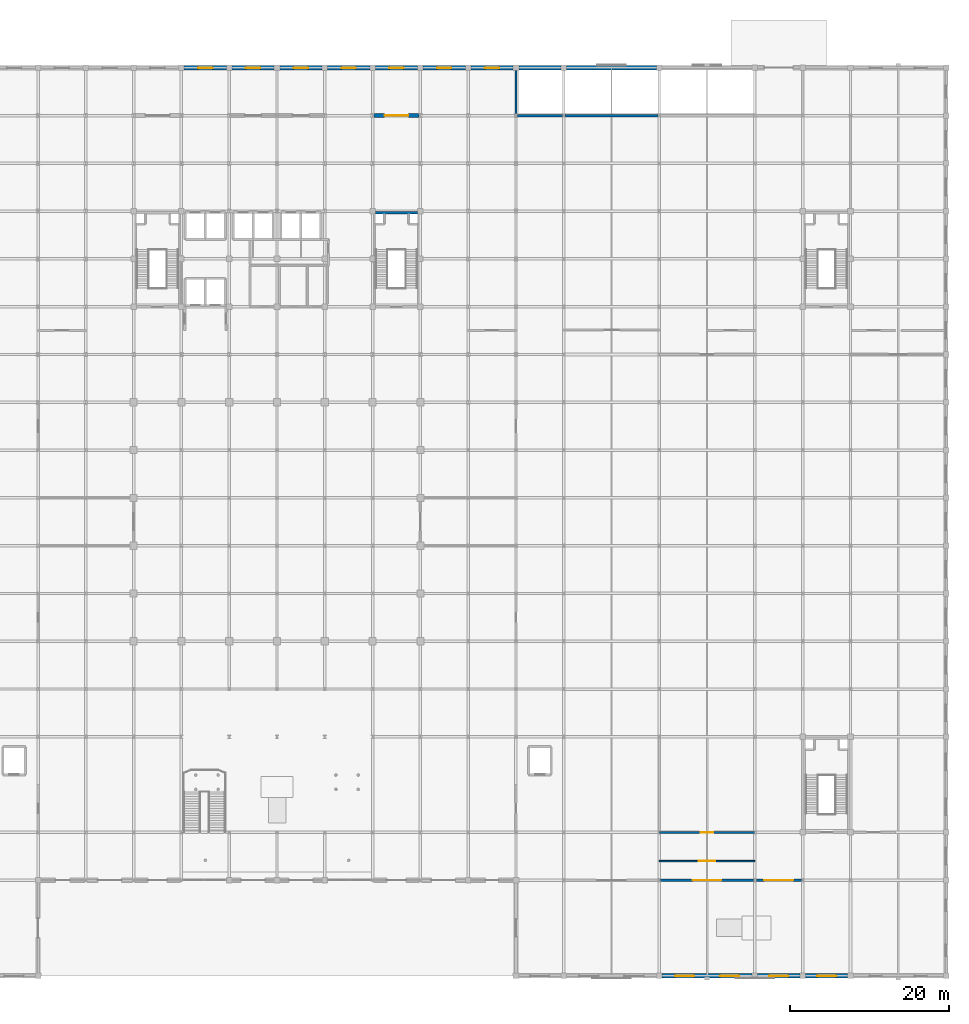
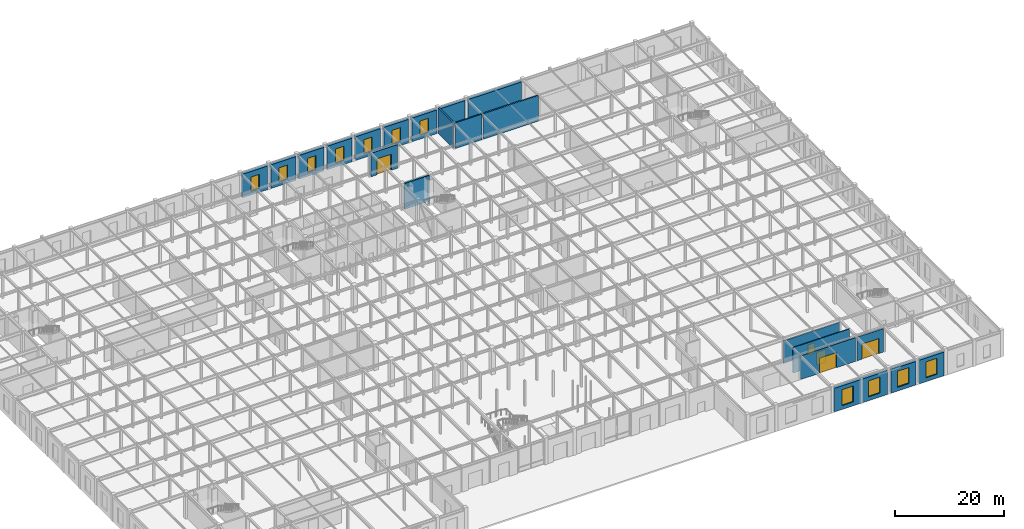
# One storey, part 46 of 51: 21 walls, 11 windows, 5 doors, 16 openings.
"""IFC4 building model written with IfcOpenShell, lengths in metres."""

from ifc_helpers import new_model, si_unit, direction, frame, frame_2d, origin, place, context, subcontext, project, spatial, rectangle, extrude, material, layer, layer_set, type_object, element, fill, save


model = new_model("IFC4")

# Units and contexts
model_context = context("Model", 3, precision=1e-05, world=origin(), true_north=direction((0.0, 1.0)))
body_context = subcontext(model_context, "Body", "Model", "MODEL_VIEW")
ifc_project = project(units=[si_unit("LENGTHUNIT", "METRE"), si_unit("AREAUNIT", "SQUARE_METRE"), si_unit("VOLUMEUNIT", "CUBIC_METRE"), si_unit("PLANEANGLEUNIT", "RADIAN"), si_unit("MASSUNIT", "GRAM", prefix="KILO")], contexts=[model_context])

# Site, building, storey
site_placement = place(None, origin())
site = spatial("IfcSite", under=ifc_project, at=site_placement, CompositionType="ELEMENT")
building_placement = place(site_placement, origin())
building = spatial("IfcBuilding", under=site, at=building_placement, Name="Zlatovratsky Civic Hall", CompositionType="ELEMENT")
storey_placement = place(building_placement, origin())
storey = spatial("IfcBuildingStorey", under=building, at=storey_placement, Name="L01", CompositionType="ELEMENT", Elevation=0.0)

# Wall, opening, door
ifc_material_1 = material(Name="Acoustic ceramic blockwork", Category="masonry")
ifc_layer_1 = layer(ifc_material_1, 0.179931640625)
ifc_layer_set_1 = layer_set([ifc_layer_1], Name="Acoustic ceramic blockwork")
wall_type_1 = type_object("IfcWallType", Name="Wall_AcousticChamberPartition_180", PredefinedType="PARTITIONING", material=ifc_layer_set_1)
wall_1_placement = place(storey_placement, frame((132.0, 14.39990234375, 0.0), z_axis=(0.0, 0.0, 1.0), x_axis=(1.0, 0.0, 0.0)))
wall_1 = element("IfcWall", 1, at=wall_1_placement, inside=storey, type_object=wall_type_1, Name="WL-6066", PredefinedType="PARTITIONING", context=body_context, shape_type="SweptSolid", body=[
    extrude(rectangle(XDim=12.0, YDim=0.179931640625, at=frame_2d((6.0, 0.0))), origin(), (0.0, 0.0, 1.0), 5.760009765625),
])
opening_1_placement = place(wall_1_placement, frame((4.949951171875, 0.0, 0.0)))
opening_1 = element("IfcOpeningElement", 2, at=opening_1_placement, cuts=wall_1, Name="Opening D-11", PredefinedType="OPENING", context=body_context, shape_type="SweptSolid", body=[
    extrude(rectangle(XDim=2.10009765625, YDim=2.89990234375, at=frame_2d((1.050048828125, 1.449951171875))), frame((0.0, 0.10498046875, 0.0), z_axis=(0.0, -1.0, 0.0), x_axis=(1.0, 0.0, 0.0)), (0.0, 0.0, 1.0), 0.209716796875),
])
ifc_material_2 = material(Name="Solid oak joinery in steel frame", Category="steel")
door_type_1 = type_object("IfcDoorType", Name="Door_ChamberFoyerDouble_2100x2900", OperationType="DOUBLE_DOOR_SINGLE_SWING", PredefinedType="DOOR", material=ifc_material_2)
door_1_placement = place(opening_1_placement, origin())
door_1 = element("IfcDoor", 3, at=door_1_placement, inside=storey, type_object=door_type_1, Name="DR-5227", OperationType="DOUBLE_DOOR_SINGLE_SWING", OverallHeight=2.89990234375, OverallWidth=2.10009765625, PredefinedType="DOOR", context=body_context, shape_type="SweptSolid", body=[
    extrude(rectangle(XDim=2.10009765625, YDim=2.89990234375, at=frame_2d((1.050048828125, 1.449951171875))), frame((0.0, 0.02490234375, 0.0), z_axis=(0.0, -1.0, 0.0), x_axis=(1.0, 0.0, 0.0)), (0.0, 0.0, 1.0), 0.050048828125),
])
fill(opening_1, door_1)

ifc_layer_2 = layer(ifc_material_1, 0.260009765625)
ifc_layer_set_2 = layer_set([ifc_layer_2], Name="Acoustic ceramic blockwork")
wall_type_2 = type_object("IfcWallType", Name="Wall_ArchiveCompartment_260", PredefinedType="PARTITIONING", material=ifc_layer_set_2)
wall_2_placement = place(storey_placement, frame((132.0, 18.0, 0.0), z_axis=(0.0, 0.0, 1.0), x_axis=(1.0, 0.0, 0.0)))
wall_2 = element("IfcWall", 4, at=wall_2_placement, inside=storey, type_object=wall_type_2, Name="WL-6075", PredefinedType="PARTITIONING", context=body_context, shape_type="SweptSolid", body=[
    extrude(rectangle(XDim=12.0, YDim=0.260009765625, at=frame_2d((6.0, 0.0))), origin(), (0.0, 0.0, 1.0), 5.076904296875),
])
opening_2_placement = place(wall_2_placement, frame((5.22509765625, 0.0, 0.0)))
opening_2 = element("IfcOpeningElement", 5, at=opening_2_placement, cuts=wall_2, Name="Opening D-15", PredefinedType="OPENING", context=body_context, shape_type="SweptSolid", body=[
    extrude(rectangle(XDim=1.550048828125, YDim=2.300048828125, at=frame_2d((0.77490234375, 1.14990234375))), frame((0.0, 0.14501953125, 0.0), z_axis=(0.0, -1.0, 0.0), x_axis=(1.0, 0.0, 0.0)), (0.0, 0.0, 1.0), 0.289794921875),
])
ifc_material_3 = material(Name="Insulated painted fire-rated steel leaf", Category="steel")
door_type_2 = type_object("IfcDoorType", Name="Door_CompactArchiveFire_1550x2300", OperationType="DOUBLE_DOOR_SINGLE_SWING", PredefinedType="DOOR", material=ifc_material_3)
door_2_placement = place(opening_2_placement, origin())
door_2 = element("IfcDoor", 6, at=door_2_placement, inside=storey, type_object=door_type_2, Name="DR-5236", OperationType="DOUBLE_DOOR_SINGLE_SWING", OverallHeight=2.300048828125, OverallWidth=1.550048828125, PredefinedType="DOOR", context=body_context, shape_type="SweptSolid", body=[
    extrude(rectangle(XDim=1.550048828125, YDim=2.300048828125, at=frame_2d((0.77490234375, 1.14990234375))), frame((0.0, 0.02490234375, 0.0), z_axis=(0.0, -1.0, 0.0), x_axis=(1.0, 0.0, 0.0)), (0.0, 0.0, 1.0), 0.050048828125),
])
fill(opening_2, door_2)

# Wall, openings, windows
ifc_layer_3 = layer(ifc_material_1, 0.39990234375, Name="Backing")
ifc_material_4 = material(Name="Polished Karelian granite ashlar", Category="masonry")
ifc_layer_4 = layer(ifc_material_4, 0.139892578125, Name="Finish")
ifc_layer_set_3 = layer_set([ifc_layer_3, ifc_layer_4], Name="Acoustic ceramic blockwork")
wall_type_3 = type_object("IfcWallType", Name="Wall_PodiumGraniteArcade_540", PredefinedType="SOLIDWALL", material=ifc_layer_set_3)
wall_3_placement = place(storey_placement, frame((132.35009765625, 0.0, 0.0), z_axis=(0.0, 0.0, 1.0), x_axis=(1.0, 0.0, 0.0)))
wall_3 = element("IfcWall", 7, at=wall_3_placement, inside=storey, type_object=wall_type_3, Name="WL-0090", PredefinedType="SOLIDWALL", context=body_context, shape_type="SweptSolid", body=[
    extrude(rectangle(XDim=11.2998046875, YDim=0.5400390625, at=frame_2d((5.64990234375, 0.0))), origin(), (0.0, 0.0, 1.0), 5.31005859375),
])
opening_3_placement = place(wall_3_placement, frame((1.625, 0.0, 0.85009765625)))
opening_3 = element("IfcOpeningElement", 8, at=opening_3_placement, cuts=wall_3, Name="Opening WN-01", PredefinedType="OPENING", context=body_context, shape_type="SweptSolid", body=[
    extrude(rectangle(XDim=2.39990234375, YDim=3.60009765625, at=frame_2d((1.199951171875, 1.800048828125))), frame((0.0, 0.284912109375, 0.0), z_axis=(0.0, -1.0, 0.0), x_axis=(1.0, 0.0, 0.0)), (0.0, 0.0, 1.0), 0.56982421875),
])
opening_4_placement = place(wall_3_placement, frame((7.27490234375, 0.0, 0.85009765625)))
opening_4 = element("IfcOpeningElement", 9, at=opening_4_placement, cuts=wall_3, Name="Opening WN-01", PredefinedType="OPENING", context=body_context, shape_type="SweptSolid", body=[
    extrude(rectangle(XDim=2.39990234375, YDim=3.60009765625, at=frame_2d((1.199951171875, 1.800048828125))), frame((0.0, 0.284912109375, 0.0), z_axis=(0.0, -1.0, 0.0), x_axis=(1.0, 0.0, 0.0)), (0.0, 0.0, 1.0), 0.56982421875),
])
ifc_material_5 = material(Name="Low-E laminated double glazing", Category="glass")
window_type_1 = type_object("IfcWindowType", Name="Window_GroundArcadeTall_2400x3600", PartitioningType="SINGLE_PANEL", PredefinedType="WINDOW", material=ifc_material_5)
window_1_placement = place(opening_3_placement, origin())
window_1 = element("IfcWindow", 10, at=window_1_placement, inside=storey, type_object=window_type_1, Name="WN-0013", OverallHeight=3.60009765625, OverallWidth=2.39990234375, PartitioningType="SINGLE_PANEL", PredefinedType="WINDOW", context=body_context, shape_type="SweptSolid", body=[
    extrude(rectangle(XDim=2.39990234375, YDim=3.60009765625, at=frame_2d((1.199951171875, 1.800048828125))), frame((0.0, 0.030029296875, 0.0), z_axis=(0.0, -1.0, 0.0), x_axis=(1.0, 0.0, 0.0)), (0.0, 0.0, 1.0), 0.06005859375),
])
fill(opening_3, window_1)
window_2_placement = place(opening_4_placement, origin())
window_2 = element("IfcWindow", 11, at=window_2_placement, inside=storey, type_object=window_type_1, Name="WN-0014", OverallHeight=3.60009765625, OverallWidth=2.39990234375, PartitioningType="SINGLE_PANEL", PredefinedType="WINDOW", context=body_context, shape_type="SweptSolid", body=[
    extrude(rectangle(XDim=2.39990234375, YDim=3.60009765625, at=frame_2d((1.199951171875, 1.800048828125))), frame((0.0, 0.030029296875, 0.0), z_axis=(0.0, -1.0, 0.0), x_axis=(1.0, 0.0, 0.0)), (0.0, 0.0, 1.0), 0.06005859375),
])
fill(opening_4, window_2)

# Wall, opening, window
wall_4_placement = place(storey_placement, frame((144.35009765625, 0.0, 0.0), z_axis=(0.0, 0.0, 1.0), x_axis=(1.0, 0.0, 0.0)))
wall_4 = element("IfcWall", 12, at=wall_4_placement, inside=storey, type_object=wall_type_3, Name="WL-0091", PredefinedType="SOLIDWALL", context=body_context, shape_type="SweptSolid", body=[
    extrude(rectangle(XDim=5.2998046875, YDim=0.5400390625, at=frame_2d((2.64990234375, 0.0))), origin(), (0.0, 0.0, 1.0), 5.31005859375),
])
opening_5_placement = place(wall_4_placement, frame((1.449951171875, 0.0, 0.85009765625)))
opening_5 = element("IfcOpeningElement", 13, at=opening_5_placement, cuts=wall_4, Name="Opening WN-01", PredefinedType="OPENING", context=body_context, shape_type="SweptSolid", body=[
    extrude(rectangle(XDim=2.39990234375, YDim=3.60009765625, at=frame_2d((1.199951171875, 1.800048828125))), frame((0.0, 0.284912109375, 0.0), z_axis=(0.0, -1.0, 0.0), x_axis=(1.0, 0.0, 0.0)), (0.0, 0.0, 1.0), 0.56982421875),
])
window_3_placement = place(opening_5_placement, origin())
window_3 = element("IfcWindow", 14, at=window_3_placement, inside=storey, type_object=window_type_1, Name="WN-0015", OverallHeight=3.60009765625, OverallWidth=2.39990234375, PartitioningType="SINGLE_PANEL", PredefinedType="WINDOW", context=body_context, shape_type="SweptSolid", body=[
    extrude(rectangle(XDim=2.39990234375, YDim=3.60009765625, at=frame_2d((1.199951171875, 1.800048828125))), frame((0.0, 0.030029296875, 0.0), z_axis=(0.0, -1.0, 0.0), x_axis=(1.0, 0.0, 0.0)), (0.0, 0.0, 1.0), 0.06005859375),
])
fill(opening_5, window_3)

wall_5_placement = place(storey_placement, frame((150.35009765625, 0.0, 0.0), z_axis=(0.0, 0.0, 1.0), x_axis=(1.0, 0.0, 0.0)))
wall_5 = element("IfcWall", 15, at=wall_5_placement, inside=storey, type_object=wall_type_3, Name="WL-0092", PredefinedType="SOLIDWALL", context=body_context, shape_type="SweptSolid", body=[
    extrude(rectangle(XDim=5.2998046875, YDim=0.5400390625, at=frame_2d((2.64990234375, 0.0))), origin(), (0.0, 0.0, 1.0), 5.31005859375),
])
opening_6_placement = place(wall_5_placement, frame((1.449951171875, 0.0, 0.85009765625)))
opening_6 = element("IfcOpeningElement", 16, at=opening_6_placement, cuts=wall_5, Name="Opening WN-01", PredefinedType="OPENING", context=body_context, shape_type="SweptSolid", body=[
    extrude(rectangle(XDim=2.39990234375, YDim=3.60009765625, at=frame_2d((1.199951171875, 1.800048828125))), frame((0.0, 0.284912109375, 0.0), z_axis=(0.0, -1.0, 0.0), x_axis=(1.0, 0.0, 0.0)), (0.0, 0.0, 1.0), 0.56982421875),
])
window_4_placement = place(opening_6_placement, origin())
window_4 = element("IfcWindow", 17, at=window_4_placement, inside=storey, type_object=window_type_1, Name="WN-0016", OverallHeight=3.60009765625, OverallWidth=2.39990234375, PartitioningType="SINGLE_PANEL", PredefinedType="WINDOW", context=body_context, shape_type="SweptSolid", body=[
    extrude(rectangle(XDim=2.39990234375, YDim=3.60009765625, at=frame_2d((1.199951171875, 1.800048828125))), frame((0.0, 0.030029296875, 0.0), z_axis=(0.0, -1.0, 0.0), x_axis=(1.0, 0.0, 0.0)), (0.0, 0.0, 1.0), 0.06005859375),
])
fill(opening_6, window_4)

wall_6_placement = place(storey_placement, frame((72.35009765625, 114.0, 0.0), z_axis=(0.0, 0.0, 1.0), x_axis=(1.0, 0.0, 0.0)))
wall_6 = element("IfcWall", 18, at=wall_6_placement, inside=storey, type_object=wall_type_3, Name="WL-0113", PredefinedType="SOLIDWALL", context=body_context, shape_type="SweptSolid", body=[
    extrude(rectangle(XDim=5.2998046875, YDim=0.5400390625, at=frame_2d((2.64990234375, 0.0))), origin(), (0.0, 0.0, 1.0), 5.31005859375),
])
opening_7_placement = place(wall_6_placement, frame((1.75, 0.0, 0.85009765625)))
opening_7 = element("IfcOpeningElement", 19, at=opening_7_placement, cuts=wall_6, Name="Opening WN-03", PredefinedType="OPENING", context=body_context, shape_type="SweptSolid", body=[
    extrude(rectangle(XDim=1.800048828125, YDim=3.199951171875, at=frame_2d((0.89990234375, 1.60009765625))), frame((0.0, 0.284912109375, 0.0), z_axis=(0.0, -1.0, 0.0), x_axis=(1.0, 0.0, 0.0)), (0.0, 0.0, 1.0), 0.56982421875),
])
window_type_2 = type_object("IfcWindowType", Name="Window_GroundNorthArcade_1800x3200", PartitioningType="SINGLE_PANEL", PredefinedType="WINDOW", material=ifc_material_5)
window_5_placement = place(opening_7_placement, origin())
window_5 = element("IfcWindow", 20, at=window_5_placement, inside=storey, type_object=window_type_2, Name="WN-0030", OverallHeight=3.199951171875, OverallWidth=1.800048828125, PartitioningType="SINGLE_PANEL", PredefinedType="WINDOW", context=body_context, shape_type="SweptSolid", body=[
    extrude(rectangle(XDim=1.800048828125, YDim=3.199951171875, at=frame_2d((0.89990234375, 1.60009765625))), frame((0.0, 0.030029296875, 0.0), z_axis=(0.0, -1.0, 0.0), x_axis=(1.0, 0.0, 0.0)), (0.0, 0.0, 1.0), 0.06005859375),
])
fill(opening_7, window_5)

wall_7_placement = place(storey_placement, frame((78.35009765625, 114.0, 0.0), z_axis=(0.0, 0.0, 1.0), x_axis=(1.0, 0.0, 0.0)))
wall_7 = element("IfcWall", 21, at=wall_7_placement, inside=storey, type_object=wall_type_3, Name="WL-0114", PredefinedType="SOLIDWALL", context=body_context, shape_type="SweptSolid", body=[
    extrude(rectangle(XDim=5.2998046875, YDim=0.5400390625, at=frame_2d((2.64990234375, 0.0))), origin(), (0.0, 0.0, 1.0), 5.31005859375),
])
opening_8_placement = place(wall_7_placement, frame((1.75, 0.0, 0.85009765625)))
opening_8 = element("IfcOpeningElement", 22, at=opening_8_placement, cuts=wall_7, Name="Opening WN-03", PredefinedType="OPENING", context=body_context, shape_type="SweptSolid", body=[
    extrude(rectangle(XDim=1.800048828125, YDim=3.199951171875, at=frame_2d((0.89990234375, 1.60009765625))), frame((0.0, 0.284912109375, 0.0), z_axis=(0.0, -1.0, 0.0), x_axis=(1.0, 0.0, 0.0)), (0.0, 0.0, 1.0), 0.56982421875),
])
window_6_placement = place(opening_8_placement, origin())
window_6 = element("IfcWindow", 23, at=window_6_placement, inside=storey, type_object=window_type_2, Name="WN-0031", OverallHeight=3.199951171875, OverallWidth=1.800048828125, PartitioningType="SINGLE_PANEL", PredefinedType="WINDOW", context=body_context, shape_type="SweptSolid", body=[
    extrude(rectangle(XDim=1.800048828125, YDim=3.199951171875, at=frame_2d((0.89990234375, 1.60009765625))), frame((0.0, 0.030029296875, 0.0), z_axis=(0.0, -1.0, 0.0), x_axis=(1.0, 0.0, 0.0)), (0.0, 0.0, 1.0), 0.06005859375),
])
fill(opening_8, window_6)

wall_8_placement = place(storey_placement, frame((84.35009765625, 114.0, 0.0), z_axis=(0.0, 0.0, 1.0), x_axis=(1.0, 0.0, 0.0)))
wall_8 = element("IfcWall", 24, at=wall_8_placement, inside=storey, type_object=wall_type_3, Name="WL-0115", PredefinedType="SOLIDWALL", context=body_context, shape_type="SweptSolid", body=[
    extrude(rectangle(XDim=5.2998046875, YDim=0.5400390625, at=frame_2d((2.64990234375, 0.0))), origin(), (0.0, 0.0, 1.0), 5.31005859375),
])
opening_9_placement = place(wall_8_placement, frame((1.75, 0.0, 0.85009765625)))
opening_9 = element("IfcOpeningElement", 25, at=opening_9_placement, cuts=wall_8, Name="Opening WN-03", PredefinedType="OPENING", context=body_context, shape_type="SweptSolid", body=[
    extrude(rectangle(XDim=1.800048828125, YDim=3.199951171875, at=frame_2d((0.89990234375, 1.60009765625))), frame((0.0, 0.284912109375, 0.0), z_axis=(0.0, -1.0, 0.0), x_axis=(1.0, 0.0, 0.0)), (0.0, 0.0, 1.0), 0.56982421875),
])
window_7_placement = place(opening_9_placement, origin())
window_7 = element("IfcWindow", 26, at=window_7_placement, inside=storey, type_object=window_type_2, Name="WN-0032", OverallHeight=3.199951171875, OverallWidth=1.800048828125, PartitioningType="SINGLE_PANEL", PredefinedType="WINDOW", context=body_context, shape_type="SweptSolid", body=[
    extrude(rectangle(XDim=1.800048828125, YDim=3.199951171875, at=frame_2d((0.89990234375, 1.60009765625))), frame((0.0, 0.030029296875, 0.0), z_axis=(0.0, -1.0, 0.0), x_axis=(1.0, 0.0, 0.0)), (0.0, 0.0, 1.0), 0.06005859375),
])
fill(opening_9, window_7)

wall_9_placement = place(storey_placement, frame((90.35009765625, 114.0, 0.0), z_axis=(0.0, 0.0, 1.0), x_axis=(1.0, 0.0, 0.0)))
wall_9 = element("IfcWall", 27, at=wall_9_placement, inside=storey, type_object=wall_type_3, Name="WL-0116", PredefinedType="SOLIDWALL", context=body_context, shape_type="SweptSolid", body=[
    extrude(rectangle(XDim=5.2998046875, YDim=0.5400390625, at=frame_2d((2.64990234375, 0.0))), origin(), (0.0, 0.0, 1.0), 5.31005859375),
])
opening_10_placement = place(wall_9_placement, frame((1.75, 0.0, 0.85009765625)))
opening_10 = element("IfcOpeningElement", 28, at=opening_10_placement, cuts=wall_9, Name="Opening WN-03", PredefinedType="OPENING", context=body_context, shape_type="SweptSolid", body=[
    extrude(rectangle(XDim=1.800048828125, YDim=3.199951171875, at=frame_2d((0.89990234375, 1.60009765625))), frame((0.0, 0.284912109375, 0.0), z_axis=(0.0, -1.0, 0.0), x_axis=(1.0, 0.0, 0.0)), (0.0, 0.0, 1.0), 0.56982421875),
])
window_8_placement = place(opening_10_placement, origin())
window_8 = element("IfcWindow", 29, at=window_8_placement, inside=storey, type_object=window_type_2, Name="WN-0033", OverallHeight=3.199951171875, OverallWidth=1.800048828125, PartitioningType="SINGLE_PANEL", PredefinedType="WINDOW", context=body_context, shape_type="SweptSolid", body=[
    extrude(rectangle(XDim=1.800048828125, YDim=3.199951171875, at=frame_2d((0.89990234375, 1.60009765625))), frame((0.0, 0.030029296875, 0.0), z_axis=(0.0, -1.0, 0.0), x_axis=(1.0, 0.0, 0.0)), (0.0, 0.0, 1.0), 0.06005859375),
])
fill(opening_10, window_8)

wall_10_placement = place(storey_placement, frame((96.35009765625, 114.0, 0.0), z_axis=(0.0, 0.0, 1.0), x_axis=(1.0, 0.0, 0.0)))
wall_10 = element("IfcWall", 30, at=wall_10_placement, inside=storey, type_object=wall_type_3, Name="WL-0117", PredefinedType="SOLIDWALL", context=body_context, shape_type="SweptSolid", body=[
    extrude(rectangle(XDim=5.2998046875, YDim=0.5400390625, at=frame_2d((2.64990234375, 0.0))), origin(), (0.0, 0.0, 1.0), 5.31005859375),
])
opening_11_placement = place(wall_10_placement, frame((1.75, 0.0, 0.85009765625)))
opening_11 = element("IfcOpeningElement", 31, at=opening_11_placement, cuts=wall_10, Name="Opening WN-03", PredefinedType="OPENING", context=body_context, shape_type="SweptSolid", body=[
    extrude(rectangle(XDim=1.800048828125, YDim=3.199951171875, at=frame_2d((0.89990234375, 1.60009765625))), frame((0.0, 0.284912109375, 0.0), z_axis=(0.0, -1.0, 0.0), x_axis=(1.0, 0.0, 0.0)), (0.0, 0.0, 1.0), 0.56982421875),
])
window_9_placement = place(opening_11_placement, origin())
window_9 = element("IfcWindow", 32, at=window_9_placement, inside=storey, type_object=window_type_2, Name="WN-0034", OverallHeight=3.199951171875, OverallWidth=1.800048828125, PartitioningType="SINGLE_PANEL", PredefinedType="WINDOW", context=body_context, shape_type="SweptSolid", body=[
    extrude(rectangle(XDim=1.800048828125, YDim=3.199951171875, at=frame_2d((0.89990234375, 1.60009765625))), frame((0.0, 0.030029296875, 0.0), z_axis=(0.0, -1.0, 0.0), x_axis=(1.0, 0.0, 0.0)), (0.0, 0.0, 1.0), 0.06005859375),
])
fill(opening_11, window_9)

wall_11_placement = place(storey_placement, frame((102.35009765625, 114.0, 0.0), z_axis=(0.0, 0.0, 1.0), x_axis=(1.0, 0.0, 0.0)))
wall_11 = element("IfcWall", 33, at=wall_11_placement, inside=storey, type_object=wall_type_3, Name="WL-0118", PredefinedType="SOLIDWALL", context=body_context, shape_type="SweptSolid", body=[
    extrude(rectangle(XDim=5.2998046875, YDim=0.5400390625, at=frame_2d((2.64990234375, 0.0))), origin(), (0.0, 0.0, 1.0), 5.31005859375),
])
opening_12_placement = place(wall_11_placement, frame((1.75, 0.0, 0.85009765625)))
opening_12 = element("IfcOpeningElement", 34, at=opening_12_placement, cuts=wall_11, Name="Opening WN-03", PredefinedType="OPENING", context=body_context, shape_type="SweptSolid", body=[
    extrude(rectangle(XDim=1.800048828125, YDim=3.199951171875, at=frame_2d((0.89990234375, 1.60009765625))), frame((0.0, 0.284912109375, 0.0), z_axis=(0.0, -1.0, 0.0), x_axis=(1.0, 0.0, 0.0)), (0.0, 0.0, 1.0), 0.56982421875),
])
window_10_placement = place(opening_12_placement, origin())
window_10 = element("IfcWindow", 35, at=window_10_placement, inside=storey, type_object=window_type_2, Name="WN-0035", OverallHeight=3.199951171875, OverallWidth=1.800048828125, PartitioningType="SINGLE_PANEL", PredefinedType="WINDOW", context=body_context, shape_type="SweptSolid", body=[
    extrude(rectangle(XDim=1.800048828125, YDim=3.199951171875, at=frame_2d((0.89990234375, 1.60009765625))), frame((0.0, 0.030029296875, 0.0), z_axis=(0.0, -1.0, 0.0), x_axis=(1.0, 0.0, 0.0)), (0.0, 0.0, 1.0), 0.06005859375),
])
fill(opening_12, window_10)

wall_12_placement = place(storey_placement, frame((108.35009765625, 114.0, 0.0), z_axis=(0.0, 0.0, 1.0), x_axis=(1.0, 0.0, 0.0)))
wall_12 = element("IfcWall", 36, at=wall_12_placement, inside=storey, type_object=wall_type_3, Name="WL-0119", PredefinedType="SOLIDWALL", context=body_context, shape_type="SweptSolid", body=[
    extrude(rectangle(XDim=5.2998046875, YDim=0.5400390625, at=frame_2d((2.64990234375, 0.0))), origin(), (0.0, 0.0, 1.0), 5.31005859375),
])
opening_13_placement = place(wall_12_placement, frame((1.75, 0.0, 0.85009765625)))
opening_13 = element("IfcOpeningElement", 37, at=opening_13_placement, cuts=wall_12, Name="Opening WN-03", PredefinedType="OPENING", context=body_context, shape_type="SweptSolid", body=[
    extrude(rectangle(XDim=1.800048828125, YDim=3.199951171875, at=frame_2d((0.89990234375, 1.60009765625))), frame((0.0, 0.284912109375, 0.0), z_axis=(0.0, -1.0, 0.0), x_axis=(1.0, 0.0, 0.0)), (0.0, 0.0, 1.0), 0.56982421875),
])
window_11_placement = place(opening_13_placement, origin())
window_11 = element("IfcWindow", 38, at=window_11_placement, inside=storey, type_object=window_type_2, Name="WN-0036", OverallHeight=3.199951171875, OverallWidth=1.800048828125, PartitioningType="SINGLE_PANEL", PredefinedType="WINDOW", context=body_context, shape_type="SweptSolid", body=[
    extrude(rectangle(XDim=1.800048828125, YDim=3.199951171875, at=frame_2d((0.89990234375, 1.60009765625))), frame((0.0, 0.030029296875, 0.0), z_axis=(0.0, -1.0, 0.0), x_axis=(1.0, 0.0, 0.0)), (0.0, 0.0, 1.0), 0.06005859375),
])
fill(opening_13, window_11)

# Walls
wall_13_placement = place(storey_placement, frame((114.35009765625, 114.0, 0.0), z_axis=(0.0, 0.0, 1.0), x_axis=(1.0, 0.0, 0.0)))
element("IfcWall", 39, at=wall_13_placement, inside=storey, type_object=wall_type_3, Name="WL-0120", PredefinedType="SOLIDWALL", context=body_context, shape_type="SweptSolid", body=[
    extrude(rectangle(XDim=5.2998046875, YDim=0.5400390625, at=frame_2d((2.64990234375, 0.0))), origin(), (0.0, 0.0, 1.0), 5.31005859375),
])
wall_14_placement = place(storey_placement, frame((120.35009765625, 114.0, 0.0), z_axis=(0.0, 0.0, 1.0), x_axis=(1.0, 0.0, 0.0)))
element("IfcWall", 40, at=wall_14_placement, inside=storey, type_object=wall_type_3, Name="WL-0121", PredefinedType="SOLIDWALL", context=body_context, shape_type="SweptSolid", body=[
    extrude(rectangle(XDim=11.2998046875, YDim=0.5400390625, at=frame_2d((5.64990234375, 0.0))), origin(), (0.0, 0.0, 1.0), 5.31005859375),
])

# Wall, opening, door
wall_15_placement = place(storey_placement, frame((96.20458984375, 108.0, 0.0), z_axis=(0.0, 0.0, 1.0), x_axis=(1.0, 0.0, 0.0)))
wall_15 = element("IfcWall", 41, at=wall_15_placement, inside=storey, type_object=wall_type_3, Name="WL-0129", PredefinedType="SOLIDWALL", context=body_context, shape_type="SweptSolid", body=[
    extrude(rectangle(XDim=5.5908203125, YDim=0.5400390625, at=frame_2d((2.79541015625, 0.0))), origin(), (0.0, 0.0, 1.0), 5.31005859375),
])
opening_14_placement = place(wall_15_placement, frame((1.2958984375, 0.0, 0.0)))
opening_14 = element("IfcOpeningElement", 42, at=opening_14_placement, cuts=wall_15, Name="Opening D-01", PredefinedType="OPENING", context=body_context, shape_type="SweptSolid", body=[
    extrude(rectangle(XDim=3.0, YDim=3.60009765625, at=frame_2d((1.5, 1.800048828125))), frame((0.0, 0.284912109375, 0.0), z_axis=(0.0, -1.0, 0.0), x_axis=(1.0, 0.0, 0.0)), (0.0, 0.0, 1.0), 0.56982421875),
])
ifc_material_6 = material(Name="Monumental cast bronze glazed portal", Category="aluminium")
door_type_3 = type_object("IfcDoorType", Name="Door_MainPortalBronze_3000x3600", OperationType="DOUBLE_DOOR_SINGLE_SWING", PredefinedType="DOOR", material=ifc_material_6)
door_3_placement = place(opening_14_placement, origin())
door_3 = element("IfcDoor", 43, at=door_3_placement, inside=storey, type_object=door_type_3, Name="DR-0018", OperationType="DOUBLE_DOOR_SINGLE_SWING", OverallHeight=3.60009765625, OverallWidth=3.0, PredefinedType="DOOR", context=body_context, shape_type="SweptSolid", body=[
    extrude(rectangle(XDim=3.0, YDim=3.60009765625, at=frame_2d((1.5, 1.800048828125))), frame((0.0, 0.02490234375, 0.0), z_axis=(0.0, -1.0, 0.0), x_axis=(1.0, 0.0, 0.0)), (0.0, 0.0, 1.0), 0.050048828125),
])
fill(opening_14, door_3)

ifc_material_7 = material(Name="Concrete C35/45 (B40)", Category="concrete")
ifc_layer_5 = layer(ifc_material_7, 0.300048828125)
ifc_layer_set_4 = layer_set([ifc_layer_5], Name="Concrete C35/45 (B40)")
wall_type_4 = type_object("IfcWallType", Name="Wall_StairAndLiftShaft_300", PredefinedType="SHEAR", material=ifc_layer_set_4)
wall_16_placement = place(storey_placement, frame((132.175048828125, 12.0, 0.0), z_axis=(0.0, 0.0, 1.0), x_axis=(1.0, 0.0, 0.0)))
wall_16 = element("IfcWall", 44, at=wall_16_placement, inside=storey, type_object=wall_type_4, Name="WL-0131", PredefinedType="SHEAR", context=body_context, shape_type="SweptSolid", body=[
    extrude(rectangle(XDim=11.64990234375, YDim=0.300048828125, at=frame_2d((5.824951171875, 0.0))), origin(), (0.0, 0.0, 1.0), 5.31005859375),
])
opening_15_placement = place(wall_16_placement, frame((4.02490234375, 0.0, 0.0)))
opening_15 = element("IfcOpeningElement", 45, at=opening_15_placement, cuts=wall_16, Name="Opening G-01", PredefinedType="OPENING", context=body_context, shape_type="SweptSolid", body=[
    extrude(rectangle(XDim=3.60009765625, YDim=3.39990234375, at=frame_2d((1.800048828125, 1.699951171875))), frame((0.0, 0.1650390625, 0.0), z_axis=(0.0, -1.0, 0.0), x_axis=(1.0, 0.0, 0.0)), (0.0, 0.0, 1.0), 0.329833984375),
])
ifc_material_8 = material(Name="Galvanised insulated roller shutter")
door_type_4 = type_object("IfcDoorType", Name="Gate_LoadingVehicleShutter_3600x3400", OperationType="ROLLINGUP", PredefinedType="GATE", material=ifc_material_8)
door_4_placement = place(opening_15_placement, origin())
door_4 = element("IfcDoor", 46, at=door_4_placement, inside=storey, type_object=door_type_4, Name="DR-0020", OperationType="ROLLINGUP", OverallHeight=3.39990234375, OverallWidth=3.60009765625, PredefinedType="GATE", context=body_context, shape_type="SweptSolid", body=[
    extrude(rectangle(XDim=3.60009765625, YDim=3.39990234375, at=frame_2d((1.800048828125, 1.699951171875))), frame((0.0, 0.02490234375, 0.0), z_axis=(0.0, -1.0, 0.0), x_axis=(1.0, 0.0, 0.0)), (0.0, 0.0, 1.0), 0.050048828125),
])
fill(opening_15, door_4)

wall_17_placement = place(storey_placement, frame((144.175048828125, 12.0, 0.0), z_axis=(0.0, 0.0, 1.0), x_axis=(1.0, 0.0, 0.0)))
wall_17 = element("IfcWall", 47, at=wall_17_placement, inside=storey, type_object=wall_type_4, Name="WL-0132", PredefinedType="SHEAR", context=body_context, shape_type="SweptSolid", body=[
    extrude(rectangle(XDim=5.64990234375, YDim=0.300048828125, at=frame_2d((2.824951171875, 0.0))), origin(), (0.0, 0.0, 1.0), 5.31005859375),
])
opening_16_placement = place(wall_17_placement, frame((1.02490234375, 0.0, 0.0)))
opening_16 = element("IfcOpeningElement", 48, at=opening_16_placement, cuts=wall_17, Name="Opening G-01", PredefinedType="OPENING", context=body_context, shape_type="SweptSolid", body=[
    extrude(rectangle(XDim=3.60009765625, YDim=3.39990234375, at=frame_2d((1.800048828125, 1.699951171875))), frame((0.0, 0.1650390625, 0.0), z_axis=(0.0, -1.0, 0.0), x_axis=(1.0, 0.0, 0.0)), (0.0, 0.0, 1.0), 0.329833984375),
])
door_5_placement = place(opening_16_placement, origin())
door_5 = element("IfcDoor", 49, at=door_5_placement, inside=storey, type_object=door_type_4, Name="DR-0021", OperationType="ROLLINGUP", OverallHeight=3.39990234375, OverallWidth=3.60009765625, PredefinedType="GATE", context=body_context, shape_type="SweptSolid", body=[
    extrude(rectangle(XDim=3.60009765625, YDim=3.39990234375, at=frame_2d((1.800048828125, 1.699951171875))), frame((0.0, 0.02490234375, 0.0), z_axis=(0.0, -1.0, 0.0), x_axis=(1.0, 0.0, 0.0)), (0.0, 0.0, 1.0), 0.050048828125),
])
fill(opening_16, door_5)

# Walls
wall_18_placement = place(storey_placement, frame((114.20458984375, 108.0, 0.0), z_axis=(0.0, 0.0, 1.0), x_axis=(1.0, 0.0, 0.0)))
element("IfcWall", 50, at=wall_18_placement, inside=storey, type_object=wall_type_4, Name="WL-0720", PredefinedType="SHEAR", context=body_context, shape_type="SweptSolid", body=[
    extrude(rectangle(XDim=5.620361328125, YDim=0.300048828125, at=frame_2d((2.81005859375, 0.0))), origin(), (0.0, 0.0, 1.0), 5.760009765625),
])
wall_19_placement = place(storey_placement, frame((120.175048828125, 108.0, 0.0), z_axis=(0.0, 0.0, 1.0), x_axis=(1.0, 0.0, 0.0)))
element("IfcWall", 51, at=wall_19_placement, inside=storey, type_object=wall_type_4, Name="WL-0721", PredefinedType="SHEAR", context=body_context, shape_type="SweptSolid", body=[
    extrude(rectangle(XDim=11.64990234375, YDim=0.300048828125, at=frame_2d((5.824951171875, 0.0))), origin(), (0.0, 0.0, 1.0), 5.760009765625),
])
wall_20_placement = place(storey_placement, frame((114.0, 108.214599609375, 0.0), z_axis=(0.0, 0.0, 1.0), x_axis=(0.0, 1.0, 0.0)))
element("IfcWall", 52, at=wall_20_placement, inside=storey, type_object=wall_type_4, Name="WL-0724", PredefinedType="SHEAR", context=body_context, shape_type="SweptSolid", body=[
    extrude(rectangle(XDim=5.435302734375, YDim=0.300048828125, at=frame_2d((2.7177734375, 0.0))), origin(), (0.0, 0.0, 1.0), 5.760009765625),
])
wall_21_placement = place(storey_placement, frame((96.35009765625, 95.800048828125, 0.0), z_axis=(0.0, 0.0, 1.0), x_axis=(1.0, 0.0, 0.0)))
element("IfcWall", 53, at=wall_21_placement, inside=storey, type_object=wall_type_4, Name="WL-5168", PredefinedType="SHEAR", context=body_context, shape_type="SweptSolid", body=[
    extrude(rectangle(XDim=5.2998046875, YDim=0.300048828125, at=frame_2d((2.64990234375, 0.0))), origin(), (0.0, 0.0, 1.0), 5.760009765625),
])

save(model, "model.ifc")
